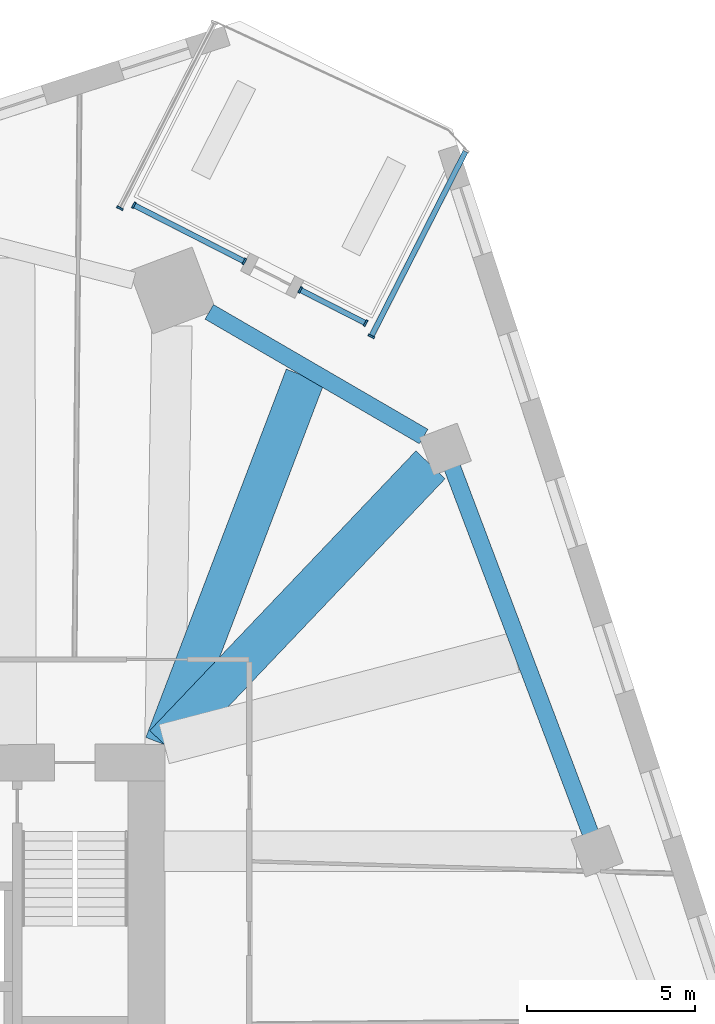
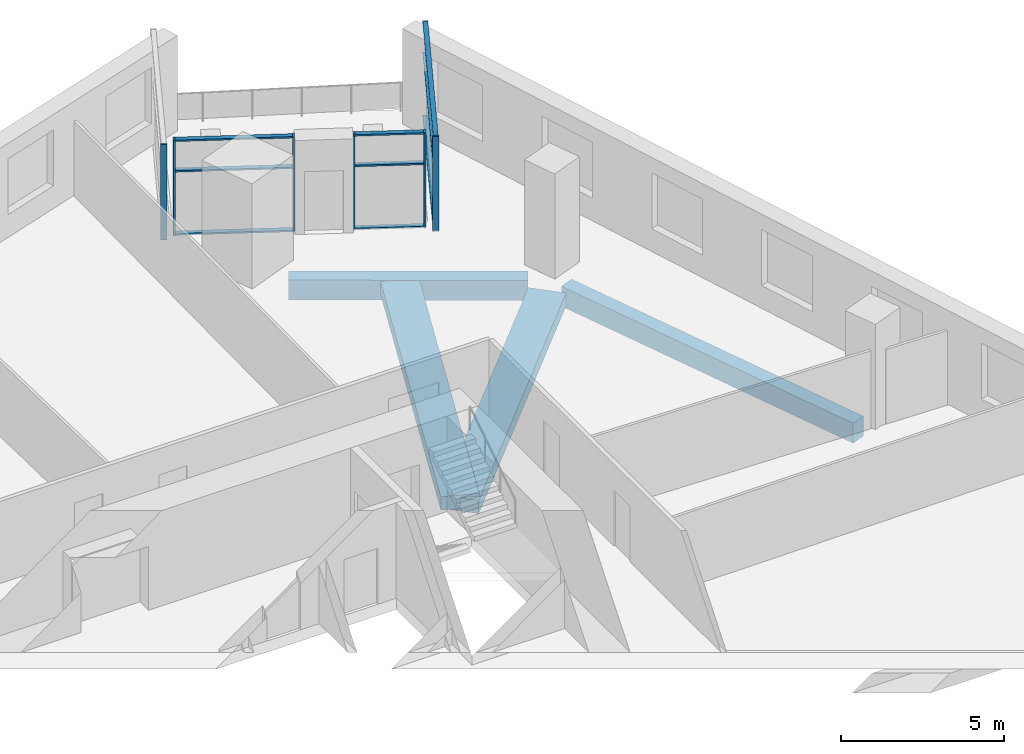
# One storey, part 2 of 12: 15 members, 4 beams, 4 elements without a shape of their own.
"""IFC4 building model written with IfcOpenShell, lengths in metres."""

from ifc_helpers import new_model, si_unit, direction, frame, origin, origin_2d, place, context, subcontext, project, spatial, rectangle, extrude, material, material_profile, profile_set, type_object, element, aggregate, save


model = new_model("IFC4")

# Units and contexts
model_context = context("Model", 3, precision=1e-05, world=origin(), true_north=direction((0.0, 1.0)))
body_context = subcontext(model_context, "Body", "Model", "MODEL_VIEW")
ifc_project = project(units=[si_unit("LENGTHUNIT", "METRE"), si_unit("AREAUNIT", "SQUARE_METRE"), si_unit("VOLUMEUNIT", "CUBIC_METRE"), si_unit("PLANEANGLEUNIT", "RADIAN"), si_unit("MASSUNIT", "GRAM", prefix="KILO")], contexts=[model_context])

# Site, building, storey
site_placement = place(None, origin())
site = spatial("IfcSite", under=ifc_project, at=site_placement, CompositionType="ELEMENT")
building_placement = place(site_placement, origin())
building = spatial("IfcBuilding", under=site, at=building_placement, Name="Dilmun Exchange Tower", CompositionType="ELEMENT")
storey_placement = place(building_placement, frame((0.0, 0.0, 98.10009765625)))
storey = spatial("IfcBuildingStorey", under=building, at=storey_placement, Name="L22", CompositionType="ELEMENT", Elevation=98.10009765625)

# Curtain wall, member
ifc_material_1 = material(Name="Anodised aluminium and clear glass", Category="aluminium")
curtain_wall_type = type_object("IfcCurtainWallType", Name="Garden corner glazing", PredefinedType="NOTDEFINED", material=ifc_material_1)
curtain_wall_1_placement = place(storey_placement, origin())
curtain_wall_1 = element("IfcCurtainWall", 1, at=curtain_wall_1_placement, inside=storey, type_object=curtain_wall_type, Name="Garden corner glazing run GC1.1", PredefinedType="NOTDEFINED")
ifc_material_2 = material(Name="Anodised aluminium", Category="aluminium")
ifc_material_profile_1 = material_profile(ifc_material_2, rectangle(XDim=0.199951171875, YDim=0.06005859375, at=origin_2d()), Name="AL 60x200")
ifc_profile_set_1 = profile_set([ifc_material_profile_1], Name="Anodised aluminium")
member_type_1 = type_object("IfcMemberType", Name="Garden corner glazing mullion 60 x 200", PredefinedType="MULLION", material=ifc_profile_set_1)
member_1_placement = place(storey_placement, frame((19.02392578125, 24.994140625, 0.0), z_axis=(0.0, 0.0, 1.0), x_axis=(0.891007485315, -0.453988613418, 0.0)))
member_1 = element("IfcMember", 2, at=member_1_placement, type_object=member_type_1, Name="GC1.1 mullion 2", PredefinedType="MULLION", context=body_context, shape_type="SweptSolid", body=[
    extrude(rectangle(XDim=0.199951171875, YDim=0.06005859375, at=origin_2d()), origin(), (0.0, 0.0, 1.0), 3.579833984375),
])

# Curtain wall, members
curtain_wall_2_placement = place(storey_placement, origin())
curtain_wall_2 = element("IfcCurtainWall", 3, at=curtain_wall_2_placement, inside=storey, type_object=curtain_wall_type, Name="Garden corner glazing run GC2.1", PredefinedType="NOTDEFINED")
member_2_placement = place(storey_placement, frame((18.8525390625, 25.384521484375, 0.0), z_axis=(0.0, 0.0, 1.0), x_axis=(-0.453971274184, -0.891016319837, 0.0)))
member_2 = element("IfcMember", 4, at=member_2_placement, type_object=member_type_1, Name="GC2.1 mullion 1", PredefinedType="MULLION", context=body_context, shape_type="SweptSolid", body=[
    extrude(rectangle(XDim=0.199951171875, YDim=0.06005859375, at=origin_2d()), origin(), (0.0, 0.0, 1.0), 3.579833984375),
])
member_3_placement = place(storey_placement, frame((16.910888671875, 26.373779296875, 0.0), z_axis=(0.0, 0.0, 1.0), x_axis=(-0.453971274184, -0.891016319837, 0.0)))
member_3 = element("IfcMember", 5, at=member_3_placement, type_object=member_type_1, Name="GC2.1 mullion 2", PredefinedType="MULLION", context=body_context, shape_type="SweptSolid", body=[
    extrude(rectangle(XDim=0.199951171875, YDim=0.06005859375, at=origin_2d()), origin(), (0.0, 0.0, 1.0), 3.579833984375),
])

curtain_wall_3_placement = place(storey_placement, origin())
curtain_wall_3 = element("IfcCurtainWall", 6, at=curtain_wall_3_placement, inside=storey, type_object=curtain_wall_type, Name="Garden corner glazing run GC2.3", PredefinedType="NOTDEFINED")
member_4_placement = place(storey_placement, frame((15.253662109375, 27.21826171875, 0.0), z_axis=(0.0, 0.0, 1.0), x_axis=(-0.453993889512, -0.891004797005, 0.0)))
member_4 = element("IfcMember", 7, at=member_4_placement, type_object=member_type_1, Name="GC2.3 mullion 1", PredefinedType="MULLION", context=body_context, shape_type="SweptSolid", body=[
    extrude(rectangle(XDim=0.199951171875, YDim=0.06005859375, at=origin_2d()), origin(), (0.0, 0.0, 1.0), 3.579833984375),
])
member_5_placement = place(storey_placement, frame((11.9755859375, 28.888671875, 0.0), z_axis=(0.0, 0.0, 1.0), x_axis=(-0.453993889512, -0.891004797005, 0.0)))
member_5 = element("IfcMember", 8, at=member_5_placement, type_object=member_type_1, Name="GC2.3 mullion 2", PredefinedType="MULLION", context=body_context, shape_type="SweptSolid", body=[
    extrude(rectangle(XDim=0.199951171875, YDim=0.06005859375, at=origin_2d()), origin(), (0.0, 0.0, 1.0), 3.579833984375),
])

# Curtain wall, member
curtain_wall_4_placement = place(storey_placement, origin())
curtain_wall_4 = element("IfcCurtainWall", 9, at=curtain_wall_4_placement, inside=storey, type_object=curtain_wall_type, Name="Garden corner glazing run GC3.1", PredefinedType="NOTDEFINED")
member_6_placement = place(storey_placement, frame((11.558837890625, 28.7978515625, 0.0), z_axis=(0.0, 0.0, 1.0), x_axis=(-0.891007485315, 0.453988613418, 0.0)))
member_6 = element("IfcMember", 10, at=member_6_placement, type_object=member_type_1, Name="GC3.1 mullion 1", PredefinedType="MULLION", context=body_context, shape_type="SweptSolid", body=[
    extrude(rectangle(XDim=0.199951171875, YDim=0.06005859375, at=origin_2d()), origin(), (0.0, 0.0, 1.0), 3.579833984375),
])
aggregate(curtain_wall_4, [member_6])

# Member
ifc_material_profile_2 = material_profile(ifc_material_2, rectangle(XDim=0.159912109375, YDim=0.06005859375, at=origin_2d()), Name="AL 60x160")
ifc_profile_set_2 = profile_set([ifc_material_profile_2], Name="Anodised aluminium")
member_type_2 = type_object("IfcMemberType", Name="Garden corner glazing transom 60 x 160", PredefinedType="USERDEFINED", material=ifc_profile_set_2)
member_7_placement = place(storey_placement, frame((21.81884765625, 30.479736328125, 0.02978515625), z_axis=(-0.453975328977, -0.891014253915, 0.0), x_axis=(0.891014253915, -0.453975328977, 0.0)))
member_7 = element("IfcMember", 11, at=member_7_placement, type_object=member_type_2, Name="GC1.1 transom 1.1", ObjectType="TRANSOM", PredefinedType="USERDEFINED", context=body_context, shape_type="SweptSolid", body=[
    extrude(rectangle(XDim=0.159912109375, YDim=0.06005859375, at=origin_2d()), origin(), (0.0, 0.0, 1.0), 6.12646484375),
])

member_8_placement = place(storey_placement, frame((21.81884765625, 30.479736328125, 2.39990234375), z_axis=(-0.453975328977, -0.891014253915, 0.0), x_axis=(0.891014253915, -0.453975328977, 0.0)))
member_8 = element("IfcMember", 12, at=member_8_placement, type_object=member_type_2, Name="GC1.1 transom 1.2", ObjectType="TRANSOM", PredefinedType="USERDEFINED", context=body_context, shape_type="SweptSolid", body=[
    extrude(rectangle(XDim=0.159912109375, YDim=0.06005859375, at=origin_2d()), origin(), (0.0, 0.0, 1.0), 6.12646484375),
])

member_9_placement = place(storey_placement, frame((21.81884765625, 30.479736328125, 3.5498046875), z_axis=(-0.453975328977, -0.891014253915, 0.0), x_axis=(0.891014253915, -0.453975328977, 0.0)))
member_9 = element("IfcMember", 13, at=member_9_placement, type_object=member_type_2, Name="GC1.1 transom 1.3", ObjectType="TRANSOM", PredefinedType="USERDEFINED", context=body_context, shape_type="SweptSolid", body=[
    extrude(rectangle(XDim=0.159912109375, YDim=0.06005859375, at=origin_2d()), origin(), (0.0, 0.0, 1.0), 6.12646484375),
])

aggregate(curtain_wall_1, [member_1, member_7, member_8, member_9])

member_10_placement = place(storey_placement, frame((18.82568359375, 25.398193359375, 0.02978515625), z_axis=(-0.890991137199, 0.454020697142, 0.0), x_axis=(-0.454020697142, -0.890991137199, 0.0)))
member_10 = element("IfcMember", 14, at=member_10_placement, type_object=member_type_2, Name="GC2.1 transom 1.1", ObjectType="TRANSOM", PredefinedType="USERDEFINED", context=body_context, shape_type="SweptSolid", body=[
    extrude(rectangle(XDim=0.159912109375, YDim=0.06005859375, at=origin_2d()), origin(), (0.0, 0.0, 1.0), 2.119140625),
])

member_11_placement = place(storey_placement, frame((18.82568359375, 25.398193359375, 2.39990234375), z_axis=(-0.890991137199, 0.454020697142, 0.0), x_axis=(-0.454020697142, -0.890991137199, 0.0)))
member_11 = element("IfcMember", 15, at=member_11_placement, type_object=member_type_2, Name="GC2.1 transom 1.2", ObjectType="TRANSOM", PredefinedType="USERDEFINED", context=body_context, shape_type="SweptSolid", body=[
    extrude(rectangle(XDim=0.159912109375, YDim=0.06005859375, at=origin_2d()), origin(), (0.0, 0.0, 1.0), 2.119140625),
])

member_12_placement = place(storey_placement, frame((18.82568359375, 25.398193359375, 3.5498046875), z_axis=(-0.890991137199, 0.454020697142, 0.0), x_axis=(-0.454020697142, -0.890991137199, 0.0)))
member_12 = element("IfcMember", 16, at=member_12_placement, type_object=member_type_2, Name="GC2.1 transom 1.3", ObjectType="TRANSOM", PredefinedType="USERDEFINED", context=body_context, shape_type="SweptSolid", body=[
    extrude(rectangle(XDim=0.159912109375, YDim=0.06005859375, at=origin_2d()), origin(), (0.0, 0.0, 1.0), 2.119140625),
])

aggregate(curtain_wall_2, [member_2, member_3, member_10, member_11, member_12])

member_13_placement = place(storey_placement, frame((15.226806640625, 27.23193359375, 0.02978515625), z_axis=(-0.891001397756, 0.454000560789, 0.0), x_axis=(-0.454000560789, -0.891001397756, 0.0)))
member_13 = element("IfcMember", 17, at=member_13_placement, type_object=member_type_2, Name="GC2.3 transom 1.1", ObjectType="TRANSOM", PredefinedType="USERDEFINED", context=body_context, shape_type="SweptSolid", body=[
    extrude(rectangle(XDim=0.159912109375, YDim=0.06005859375, at=origin_2d()), origin(), (0.0, 0.0, 1.0), 3.619140625),
])

member_14_placement = place(storey_placement, frame((15.226806640625, 27.23193359375, 2.39990234375), z_axis=(-0.891001397756, 0.454000560789, 0.0), x_axis=(-0.454000560789, -0.891001397756, 0.0)))
member_14 = element("IfcMember", 18, at=member_14_placement, type_object=member_type_2, Name="GC2.3 transom 1.2", ObjectType="TRANSOM", PredefinedType="USERDEFINED", context=body_context, shape_type="SweptSolid", body=[
    extrude(rectangle(XDim=0.159912109375, YDim=0.06005859375, at=origin_2d()), origin(), (0.0, 0.0, 1.0), 3.619140625),
])

member_15_placement = place(storey_placement, frame((15.226806640625, 27.23193359375, 3.5498046875), z_axis=(-0.891001397756, 0.454000560789, 0.0), x_axis=(-0.454000560789, -0.891001397756, 0.0)))
member_15 = element("IfcMember", 19, at=member_15_placement, type_object=member_type_2, Name="GC2.3 transom 1.3", ObjectType="TRANSOM", PredefinedType="USERDEFINED", context=body_context, shape_type="SweptSolid", body=[
    extrude(rectangle(XDim=0.159912109375, YDim=0.06005859375, at=origin_2d()), origin(), (0.0, 0.0, 1.0), 3.619140625),
])

aggregate(curtain_wall_3, [member_4, member_5, member_13, member_14, member_15])

# Beams
ifc_material_3 = material(Name="Concrete C40/50", Category="concrete")
ifc_material_profile_3 = material_profile(ifc_material_3, rectangle(XDim=1.199951171875, YDim=0.5, at=origin_2d()), Name="1200 x 500")
ifc_profile_set_3 = profile_set([ifc_material_profile_3], Name="Concrete C40/50")
beam_type_1 = type_object("IfcBeamType", Name="RC band beam 1200 x 500 C40/50", PredefinedType="BEAM", material=ifc_profile_set_3)
beam_1_placement = place(storey_placement, frame((20.780517578125, 21.181884765625, -0.77001953125), z_axis=(-0.689333244672, -0.724444392476, 0.0), x_axis=(0.724444392476, -0.689333244672, 0.0)))
element("IfcBeam", 20, at=beam_1_placement, inside=storey, type_object=beam_type_1, Name="Band beam 16", PredefinedType="BEAM", context=body_context, shape_type="SweptSolid", body=[
    extrude(rectangle(XDim=1.199951171875, YDim=0.5, at=origin_2d()), origin(), (0.0, 0.0, 1.0), 11.459228515625),
])
beam_2_placement = place(storey_placement, frame((17.059326171875, 23.806640625, -0.670166015625), z_axis=(-0.356325045493, -0.934362061491, 0.0), x_axis=(0.934362061491, -0.356325045493, 0.0)))
element("IfcBeam", 21, at=beam_2_placement, inside=storey, type_object=beam_type_1, Name="Band beam 32", PredefinedType="BEAM", context=body_context, shape_type="SweptSolid", body=[
    extrude(rectangle(XDim=1.199951171875, YDim=0.5, at=origin_2d()), origin(), (0.0, 0.0, 1.0), 11.699951171875),
])
ifc_material_profile_4 = material_profile(ifc_material_3, rectangle(XDim=0.5, YDim=0.75, at=origin_2d()), Name="500 x 750")
ifc_profile_set_4 = profile_set([ifc_material_profile_4], Name="Concrete C40/50")
beam_type_2 = type_object("IfcBeamType", Name="RC ring beam 500 x 750 C40/50", PredefinedType="SPANDREL", material=ifc_profile_set_4)
beam_3_placement = place(storey_placement, frame((25.5234375, 10.2529296875, -0.795166015625), z_axis=(-0.353303601311, 0.935508720056, 0.0), x_axis=(-0.935508720056, -0.353303601311, 0.0)))
element("IfcBeam", 22, at=beam_3_placement, inside=storey, type_object=beam_type_2, Name="Ring beam 15", PredefinedType="SPANDREL", context=body_context, shape_type="SweptSolid", body=[
    extrude(rectangle(XDim=0.5, YDim=0.75, at=origin_2d()), origin(), (0.0, 0.0, 1.0), 11.604248046875),
])
beam_4_placement = place(storey_placement, frame((20.57568359375, 22.020263671875, -0.795166015625), z_axis=(-0.864503499359, 0.50262679952, 0.0), x_axis=(-0.50262679952, -0.864503499359, 0.0)))
element("IfcBeam", 23, at=beam_4_placement, inside=storey, type_object=beam_type_2, Name="Ring beam 16", PredefinedType="SPANDREL", context=body_context, shape_type="SweptSolid", body=[
    extrude(rectangle(XDim=0.5, YDim=0.75, at=origin_2d()), origin(), (0.0, 0.0, 1.0), 7.35986328125),
])

save(model, "model.ifc")
